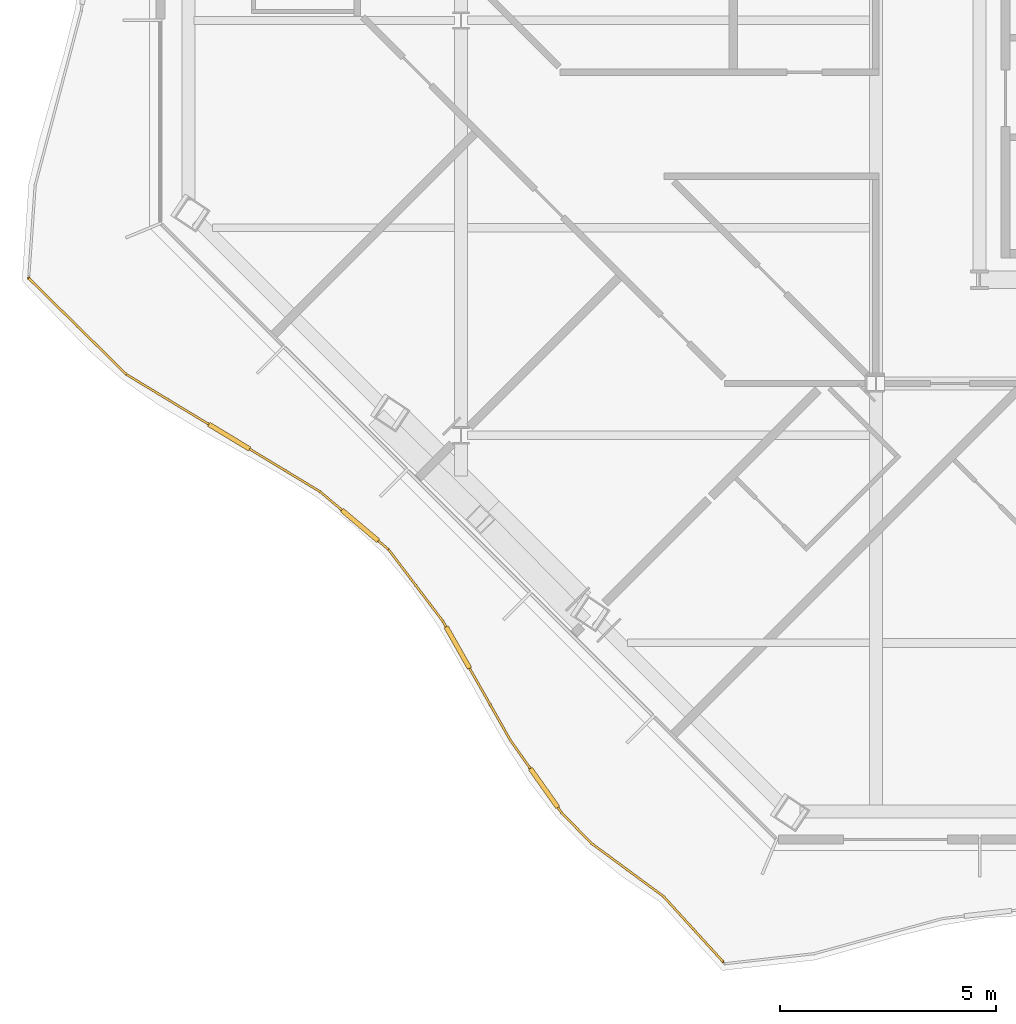
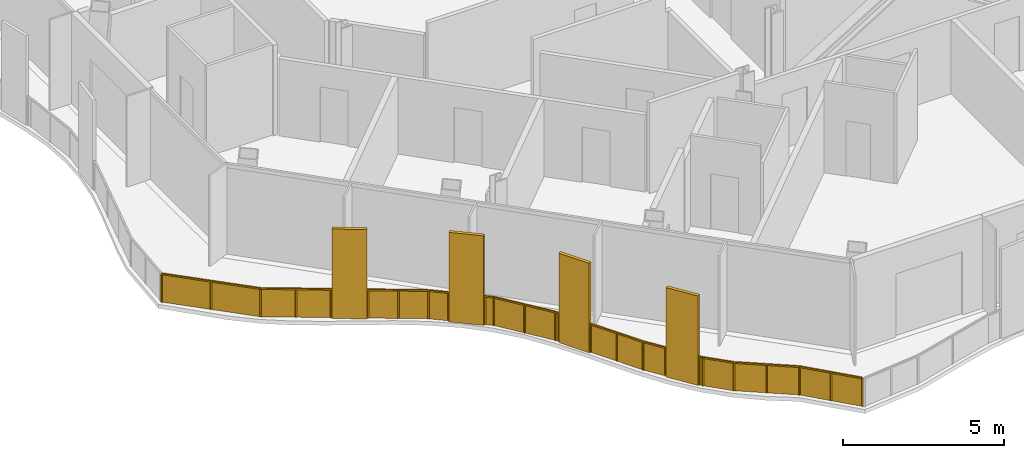
# One storey, part 15 of 21: 1 railing.
"""IFC4 building model written with IfcOpenShell, lengths in metres."""

from ifc_helpers import new_model, si_unit, direction, frame, origin, origin_2d, place, context, subcontext, project, spatial, polyline, rectangle, outline, extrude, material, type_object, element, save


model = new_model("IFC4")

# Units and contexts
model_context = context("Model", 3, precision=1e-05, world=origin(), true_north=direction((0.0, 1.0)))
body_context = subcontext(model_context, "Body", "Model", "MODEL_VIEW")
ifc_project = project(units=[si_unit("LENGTHUNIT", "METRE"), si_unit("AREAUNIT", "SQUARE_METRE"), si_unit("VOLUMEUNIT", "CUBIC_METRE"), si_unit("PLANEANGLEUNIT", "RADIAN"), si_unit("MASSUNIT", "GRAM", prefix="KILO")], contexts=[model_context])

# Site, building, storey
site_placement = place(None, origin())
site = spatial("IfcSite", under=ifc_project, at=site_placement, CompositionType="ELEMENT")
building_placement = place(site_placement, origin())
building = spatial("IfcBuilding", under=site, at=building_placement, Name="Cairn Pilgrim Tower", CompositionType="ELEMENT")
storey_placement = place(building_placement, frame((0.0, 0.0, 172.199951171875)))
storey = spatial("IfcBuildingStorey", under=building, at=storey_placement, Name="L43", CompositionType="ELEMENT", Elevation=172.199951171875)

# Railing
ifc_material = material(Name="Bronze anodised aluminium rail, posts and fin screens with laminated glass infill", Category="aluminium")
railing_type = type_object("IfcRailingType", Name="BALCONY GUARD WITH FIN SCREENS", PredefinedType="GUARDRAIL", material=ifc_material)
railing_placement = place(storey_placement, frame((-24.398681640625, -5.96484375, 0.0)))
element("IfcRailing", 1, at=railing_placement, inside=storey, type_object=railing_type, Name="Balcony guard BGF-8 with fin screens", PredefinedType="GUARDRAIL", context=body_context, shape_type="SweptSolid", body=[
    extrude(rectangle(XDim=0.050048828125, YDim=0.050048828125, at=origin_2d()), frame((0.0, 0.0, 1.0751953125), z_axis=(0.712701140434, -0.701467807119, 0.0), x_axis=(0.701467807119, 0.712701140434, 0.0)), (0.0, 0.0, 1.0), 3.173095703125),
    extrude(rectangle(XDim=1.10009765625, YDim=0.110107421875, at=origin_2d()), frame((4.638916015625, -3.664794921875, 0.0), z_axis=(0.0, 0.0, 1.0), x_axis=(0.85548323189, -0.51783051277, 0.0)), (0.0, 0.0, 1.0), 3.39990234375),
    extrude(rectangle(XDim=0.050048828125, YDim=0.050048828125, at=origin_2d()), frame((2.261474609375, -2.225830078125, 1.0751953125), z_axis=(0.85548323189, -0.51783051277, 0.0), x_axis=(0.51783051277, 0.85548323189, 0.0)), (0.0, 0.0, 1.0), 2.22900390625),
    extrude(rectangle(XDim=0.050048828125, YDim=0.050048828125, at=origin_2d()), frame((5.109375, -3.94970703125, 1.0751953125), z_axis=(0.85548323189, -0.51783051277, 0.0), x_axis=(0.51783051277, 0.85548323189, 0.0)), (0.0, 0.0, 1.0), 1.907958984375),
    extrude(rectangle(XDim=1.10009765625, YDim=0.110107421875, at=origin_2d()), frame((7.665283203125, -5.7177734375, 0.0), z_axis=(0.0, 0.0, 1.0), x_axis=(0.763993774982, -0.645223613788, 0.0)), (0.0, 0.0, 1.0), 3.39990234375),
    extrude(rectangle(XDim=0.050048828125, YDim=0.050048828125, at=origin_2d()), frame((6.74169921875, -4.937744140625, 1.0751953125), z_axis=(0.763993774982, -0.645223613788, 0.0), x_axis=(0.645223613788, 0.763993774982, 0.0)), (0.0, 0.0, 1.0), 0.658935546875),
    extrude(rectangle(XDim=0.050048828125, YDim=0.050048828125, at=origin_2d()), frame((8.08544921875, -6.072509765625, 1.0751953125), z_axis=(0.763993774982, -0.645223613788, 0.0), x_axis=(0.645223613788, 0.763993774982, 0.0)), (0.0, 0.0, 1.0), 0.313232421875),
    extrude(rectangle(XDim=0.050048828125, YDim=0.050048828125, at=origin_2d()), frame((8.32470703125, -6.274658203125, 1.0751953125), z_axis=(0.604006652288, -0.796979274506, 0.0), x_axis=(0.796979274506, 0.604006652288, 0.0)), (0.0, 0.0, 1.0), 2.08251953125),
    extrude(rectangle(XDim=1.10009765625, YDim=0.110107421875, at=origin_2d()), frame((9.927734375, -8.543212890625, 0.0), z_axis=(0.0, 0.0, 1.0), x_axis=(0.493101909594, -0.869971555141, 0.0)), (0.0, 0.0, 1.0), 3.39990234375),
    extrude(rectangle(XDim=0.050048828125, YDim=0.050048828125, at=origin_2d()), frame((9.58251953125, -7.934326171875, 1.0751953125), z_axis=(0.493101909594, -0.869971555141, 0.0), x_axis=(0.869971555141, 0.493101909594, 0.0)), (0.0, 0.0, 1.0), 0.14990234375),
    extrude(rectangle(XDim=0.050048828125, YDim=0.050048828125, at=origin_2d()), frame((10.198974609375, -9.021728515625, 1.0751953125), z_axis=(0.493101909594, -0.869971555141, 0.0), x_axis=(0.869971555141, 0.493101909594, 0.0)), (0.0, 0.0, 1.0), 1.921630859375),
    extrude(rectangle(XDim=1.10009765625, YDim=0.110107421875, at=origin_2d()), frame((11.92431640625, -11.79345703125, 0.0), z_axis=(0.0, 0.0, 1.0), x_axis=(0.577418181938, -0.816448555126, 0.0)), (0.0, 0.0, 1.0), 3.39990234375),
    extrude(rectangle(XDim=0.050048828125, YDim=0.050048828125, at=origin_2d()), frame((11.146484375, -10.693603515625, 1.0751953125), z_axis=(0.577418181938, -0.816448555126, 0.0), x_axis=(0.816448555126, 0.577418181938, 0.0)), (0.0, 0.0, 1.0), 0.796875),
    extrude(rectangle(XDim=0.050048828125, YDim=0.050048828125, at=origin_2d()), frame((12.241943359375, -12.242431640625, 1.0751953125), z_axis=(0.577418181938, -0.816448555126, 0.0), x_axis=(0.816448555126, 0.577418181938, 0.0)), (0.0, 0.0, 1.0), 0.14990234375),
    extrude(rectangle(XDim=0.050048828125, YDim=0.050048828125, at=origin_2d()), frame((12.328369140625, -12.36474609375, 1.0751953125), z_axis=(0.698458873157, -0.715650195632, 0.0), x_axis=(0.715650195632, 0.698458873157, 0.0)), (0.0, 0.0, 1.0), 0.994140625),
    extrude(rectangle(XDim=0.050048828125, YDim=0.050048828125, at=origin_2d()), frame((13.022705078125, -13.076171875, 1.0751953125), z_axis=(0.805267023623, -0.59291232123, 0.0), x_axis=(0.59291232123, 0.805267023623, 0.0)), (0.0, 0.0, 1.0), 2.0625),
    extrude(rectangle(XDim=0.050048828125, YDim=0.050048828125, at=origin_2d()), frame((14.68359375, -14.299072265625, 1.0751953125), z_axis=(0.674164896296, -0.738580863956, 0.0), x_axis=(0.738580863956, 0.674164896296, 0.0)), (0.0, 0.0, 1.0), 2.050537109375),
    extrude(rectangle(XDim=0.050048828125, YDim=0.050048828125, at=origin_2d()), origin(), (0.0, 0.0, 1.0), 1.050048828125),
    extrude(rectangle(XDim=0.050048828125, YDim=0.050048828125, at=origin_2d()), frame((1.130859375, -1.11279296875, 0.0)), (0.0, 0.0, 1.0), 1.050048828125),
    extrude(rectangle(XDim=0.050048828125, YDim=0.050048828125, at=origin_2d()), frame((2.261474609375, -2.225830078125, 0.0)), (0.0, 0.0, 1.0), 1.050048828125),
    extrude(rectangle(XDim=0.050048828125, YDim=0.050048828125, at=origin_2d()), frame((3.2041015625, -2.79638671875, 0.0)), (0.0, 0.0, 1.0), 1.050048828125),
    extrude(rectangle(XDim=0.050048828125, YDim=0.050048828125, at=origin_2d()), frame((4.14697265625, -3.3671875, 0.0)), (0.0, 0.0, 1.0), 1.050048828125),
    extrude(rectangle(XDim=0.050048828125, YDim=0.050048828125, at=origin_2d()), frame((5.130859375, -3.962646484375, 0.0)), (0.0, 0.0, 1.0), 1.050048828125),
    extrude(rectangle(XDim=0.050048828125, YDim=0.050048828125, at=origin_2d()), frame((5.936279296875, -4.4501953125, 0.0)), (0.0, 0.0, 1.0), 1.050048828125),
    extrude(rectangle(XDim=0.050048828125, YDim=0.050048828125, at=origin_2d()), frame((6.74169921875, -4.937744140625, 0.0)), (0.0, 0.0, 1.0), 1.050048828125),
    extrude(rectangle(XDim=0.050048828125, YDim=0.050048828125, at=origin_2d()), frame((7.225830078125, -5.3466796875, 0.0)), (0.0, 0.0, 1.0), 1.050048828125),
    extrude(rectangle(XDim=0.050048828125, YDim=0.050048828125, at=origin_2d()), frame((8.1044921875, -6.088623046875, 0.0)), (0.0, 0.0, 1.0), 1.050048828125),
    extrude(rectangle(XDim=0.050048828125, YDim=0.050048828125, at=origin_2d()), frame((8.32470703125, -6.274658203125, 0.0)), (0.0, 0.0, 1.0), 1.050048828125),
    extrude(rectangle(XDim=0.050048828125, YDim=0.050048828125, at=origin_2d()), frame((8.95361328125, -7.1044921875, 0.0)), (0.0, 0.0, 1.0), 1.050048828125),
    extrude(rectangle(XDim=0.050048828125, YDim=0.050048828125, at=origin_2d()), frame((9.58251953125, -7.934326171875, 0.0)), (0.0, 0.0, 1.0), 1.050048828125),
    extrude(rectangle(XDim=0.050048828125, YDim=0.050048828125, at=origin_2d()), frame((9.64404296875, -8.04296875, 0.0)), (0.0, 0.0, 1.0), 1.050048828125),
    extrude(rectangle(XDim=0.050048828125, YDim=0.050048828125, at=origin_2d()), frame((10.211181640625, -9.04345703125, 0.0)), (0.0, 0.0, 1.0), 1.050048828125),
    extrude(rectangle(XDim=0.050048828125, YDim=0.050048828125, at=origin_2d()), frame((10.678955078125, -9.86865234375, 0.0)), (0.0, 0.0, 1.0), 1.050048828125),
    extrude(rectangle(XDim=0.050048828125, YDim=0.050048828125, at=origin_2d()), frame((11.146484375, -10.693603515625, 0.0)), (0.0, 0.0, 1.0), 1.050048828125),
    extrude(rectangle(XDim=0.050048828125, YDim=0.050048828125, at=origin_2d()), frame((11.59228515625, -11.323974609375, 0.0)), (0.0, 0.0, 1.0), 1.050048828125),
    extrude(rectangle(XDim=0.050048828125, YDim=0.050048828125, at=origin_2d()), frame((12.25634765625, -12.262939453125, 0.0)), (0.0, 0.0, 1.0), 1.050048828125),
    extrude(rectangle(XDim=0.050048828125, YDim=0.050048828125, at=origin_2d()), frame((12.328369140625, -12.36474609375, 0.0)), (0.0, 0.0, 1.0), 1.050048828125),
    extrude(rectangle(XDim=0.050048828125, YDim=0.050048828125, at=origin_2d()), frame((13.022705078125, -13.076171875, 0.0)), (0.0, 0.0, 1.0), 1.050048828125),
    extrude(rectangle(XDim=0.050048828125, YDim=0.050048828125, at=origin_2d()), frame((13.85302734375, -13.6875, 0.0)), (0.0, 0.0, 1.0), 1.050048828125),
    extrude(rectangle(XDim=0.050048828125, YDim=0.050048828125, at=origin_2d()), frame((14.68359375, -14.299072265625, 0.0)), (0.0, 0.0, 1.0), 1.050048828125),
    extrude(rectangle(XDim=0.050048828125, YDim=0.050048828125, at=origin_2d()), frame((15.374755859375, -15.05615234375, 0.0)), (0.0, 0.0, 1.0), 1.050048828125),
    extrude(rectangle(XDim=0.050048828125, YDim=0.050048828125, at=origin_2d()), frame((16.06591796875, -15.8134765625, 0.0)), (0.0, 0.0, 1.0), 1.050048828125),
    extrude(outline(polyline([(0.02490234375, 0.0), (1.5615234375, 0.0), (1.5615234375, 1.050048828125), (0.02490234375, 1.050048828125), (0.02490234375, 0.0)])), frame((0.004150390625, 0.004150390625, 0.0), z_axis=(-0.701467807119, -0.712701140434, 0.0), x_axis=(0.712701140434, -0.701467807119, 0.0)), (0.0, 0.0, 1.0), 0.011962890625),
    extrude(outline(polyline([(0.02490234375, 0.0), (1.5615234375, 0.0), (1.5615234375, 1.050048828125), (0.02490234375, 1.050048828125), (0.02490234375, 0.0)])), frame((1.135009765625, -1.108642578125, 0.0), z_axis=(-0.701467807119, -0.712701140434, 0.0), x_axis=(0.712701140434, -0.701467807119, 0.0)), (0.0, 0.0, 1.0), 0.011962890625),
    extrude(outline(polyline([(0.02490234375, 0.0), (1.076904296875, 0.0), (1.076904296875, 1.050048828125), (0.02490234375, 1.050048828125), (0.02490234375, 0.0)])), frame((2.2646484375, -2.220703125, 0.0), z_axis=(-0.51783051277, -0.85548323189, 0.0), x_axis=(0.85548323189, -0.51783051277, 0.0)), (0.0, 0.0, 1.0), 0.011962890625),
    extrude(outline(polyline([(0.02490234375, 0.0), (1.076904296875, 0.0), (1.076904296875, 1.050048828125), (0.02490234375, 1.050048828125), (0.02490234375, 0.0)])), frame((3.207275390625, -2.791259765625, 0.0), z_axis=(-0.51783051277, -0.85548323189, 0.0), x_axis=(0.85548323189, -0.51783051277, 0.0)), (0.0, 0.0, 1.0), 0.011962890625),
    extrude(outline(polyline([(0.02490234375, 0.0), (0.91650390625, 0.0), (0.91650390625, 1.050048828125), (0.02490234375, 1.050048828125), (0.02490234375, 0.0)])), frame((5.1337890625, -3.95751953125, 0.0), z_axis=(-0.51783051277, -0.85548323189, 0.0), x_axis=(0.85548323189, -0.51783051277, 0.0)), (0.0, 0.0, 1.0), 0.011962890625),
    extrude(outline(polyline([(0.02490234375, 0.0), (0.91650390625, 0.0), (0.91650390625, 1.050048828125), (0.02490234375, 1.050048828125), (0.02490234375, 0.0)])), frame((5.939453125, -4.445068359375, 0.0), z_axis=(-0.51783051277, -0.85548323189, 0.0), x_axis=(0.85548323189, -0.51783051277, 0.0)), (0.0, 0.0, 1.0), 0.011962890625),
    extrude(outline(polyline([(0.02490234375, 0.0), (0.60888671875, 0.0), (0.60888671875, 1.050048828125), (0.02490234375, 1.050048828125), (0.02490234375, 0.0)])), frame((6.74560546875, -4.93310546875, 0.0), z_axis=(-0.645223613788, -0.763993774982, 0.0), x_axis=(0.763993774982, -0.645223613788, 0.0)), (0.0, 0.0, 1.0), 0.011962890625),
    extrude(outline(polyline([(0.02490234375, 0.0), (0.26318359375, 0.0), (0.26318359375, 1.050048828125), (0.02490234375, 1.050048828125), (0.02490234375, 0.0)])), frame((8.1083984375, -6.084228515625, 0.0), z_axis=(-0.645223613788, -0.763993774982, 0.0), x_axis=(0.763993774982, -0.645223613788, 0.0)), (0.0, 0.0, 1.0), 0.011962890625),
    extrude(outline(polyline([(0.02490234375, 0.0), (1.01611328125, 0.0), (1.01611328125, 1.050048828125), (0.02490234375, 1.050048828125), (0.02490234375, 0.0)])), frame((8.32958984375, -6.27099609375, 0.0), z_axis=(-0.796979274506, -0.604006652288, 0.0), x_axis=(0.604006652288, -0.796979274506, 0.0)), (0.0, 0.0, 1.0), 0.011962890625),
    extrude(outline(polyline([(0.02490234375, 0.0), (1.01611328125, 0.0), (1.01611328125, 1.050048828125), (0.02490234375, 1.050048828125), (0.02490234375, 0.0)])), frame((8.95849609375, -7.100830078125, 0.0), z_axis=(-0.796979274506, -0.604006652288, 0.0), x_axis=(0.604006652288, -0.796979274506, 0.0)), (0.0, 0.0, 1.0), 0.011962890625),
    extrude(outline(polyline([(0.02490234375, 0.0), (0.099853515625, 0.0), (0.099853515625, 1.050048828125), (0.02490234375, 1.050048828125), (0.02490234375, 0.0)])), frame((9.587646484375, -7.931396484375, 0.0), z_axis=(-0.869971555141, -0.493101909594, 0.0), x_axis=(0.493101909594, -0.869971555141, 0.0)), (0.0, 0.0, 1.0), 0.011962890625),
    extrude(outline(polyline([(0.02490234375, 0.0), (0.92333984375, 0.0), (0.92333984375, 1.050048828125), (0.02490234375, 1.050048828125), (0.02490234375, 0.0)])), frame((10.21630859375, -9.04052734375, 0.0), z_axis=(-0.869971555141, -0.493101909594, 0.0), x_axis=(0.493101909594, -0.869971555141, 0.0)), (0.0, 0.0, 1.0), 0.011962890625),
    extrude(outline(polyline([(0.02490234375, 0.0), (0.92333984375, 0.0), (0.92333984375, 1.050048828125), (0.02490234375, 1.050048828125), (0.02490234375, 0.0)])), frame((10.68408203125, -9.86572265625, 0.0), z_axis=(-0.869971555141, -0.493101909594, 0.0), x_axis=(0.493101909594, -0.869971555141, 0.0)), (0.0, 0.0, 1.0), 0.011962890625),
    extrude(outline(polyline([(0.02490234375, 0.0), (0.746826171875, 0.0), (0.746826171875, 1.050048828125), (0.02490234375, 1.050048828125), (0.02490234375, 0.0)])), frame((11.1513671875, -10.690185546875, 0.0), z_axis=(-0.816448555126, -0.577418181938, 0.0), x_axis=(0.577418181938, -0.816448555126, 0.0)), (0.0, 0.0, 1.0), 0.011962890625),
    extrude(outline(polyline([(0.02490234375, 0.0), (0.099853515625, 0.0), (0.099853515625, 1.050048828125), (0.02490234375, 1.050048828125), (0.02490234375, 0.0)])), frame((12.26123046875, -12.25927734375, 0.0), z_axis=(-0.816448555126, -0.577418181938, 0.0), x_axis=(0.577418181938, -0.816448555126, 0.0)), (0.0, 0.0, 1.0), 0.011962890625),
    extrude(outline(polyline([(0.02490234375, 0.0), (0.968994140625, 0.0), (0.968994140625, 1.050048828125), (0.02490234375, 1.050048828125), (0.02490234375, 0.0)])), frame((12.332763671875, -12.360595703125, 0.0), z_axis=(-0.715650195632, -0.698458873157, 0.0), x_axis=(0.698458873157, -0.715650195632, 0.0)), (0.0, 0.0, 1.0), 0.011962890625),
    extrude(outline(polyline([(0.02490234375, 0.0), (1.00634765625, 0.0), (1.00634765625, 1.050048828125), (0.02490234375, 1.050048828125), (0.02490234375, 0.0)])), frame((13.0263671875, -13.0712890625, 0.0), z_axis=(-0.59291232123, -0.805267023623, 0.0), x_axis=(0.805267023623, -0.59291232123, 0.0)), (0.0, 0.0, 1.0), 0.011962890625),
    extrude(outline(polyline([(0.02490234375, 0.0), (1.00634765625, 0.0), (1.00634765625, 1.050048828125), (0.02490234375, 1.050048828125), (0.02490234375, 0.0)])), frame((13.856689453125, -13.682861328125, 0.0), z_axis=(-0.59291232123, -0.805267023623, 0.0), x_axis=(0.805267023623, -0.59291232123, 0.0)), (0.0, 0.0, 1.0), 0.011962890625),
    extrude(outline(polyline([(0.02490234375, 0.0), (1.000244140625, 0.0), (1.000244140625, 1.050048828125), (0.02490234375, 1.050048828125), (0.02490234375, 0.0)])), frame((14.68798828125, -14.294921875, 0.0), z_axis=(-0.738580863956, -0.674164896296, 0.0), x_axis=(0.674164896296, -0.738580863956, 0.0)), (0.0, 0.0, 1.0), 0.011962890625),
    extrude(outline(polyline([(0.02490234375, 0.0), (1.000244140625, 0.0), (1.000244140625, 1.050048828125), (0.02490234375, 1.050048828125), (0.02490234375, 0.0)])), frame((15.379150390625, -15.05224609375, 0.0), z_axis=(-0.738580863956, -0.674164896296, 0.0), x_axis=(0.674164896296, -0.738580863956, 0.0)), (0.0, 0.0, 1.0), 0.011962890625),
])

save(model, "model.ifc")
